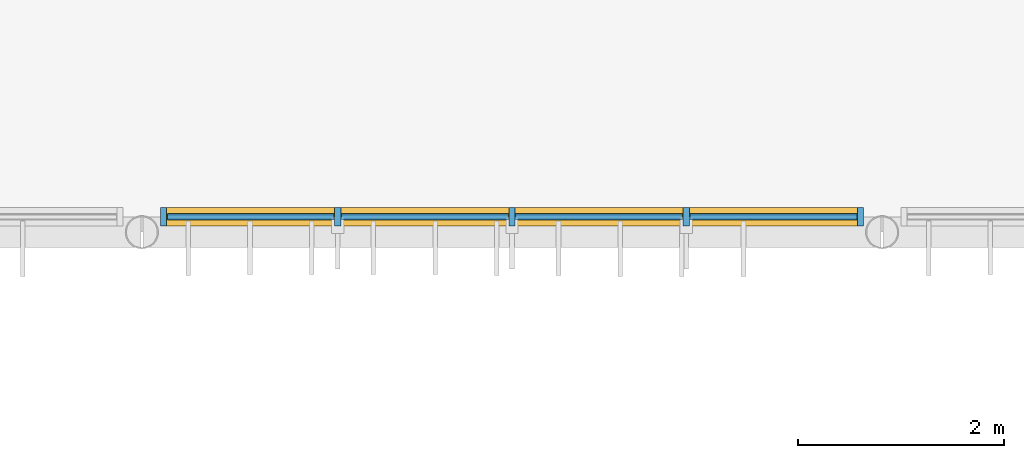
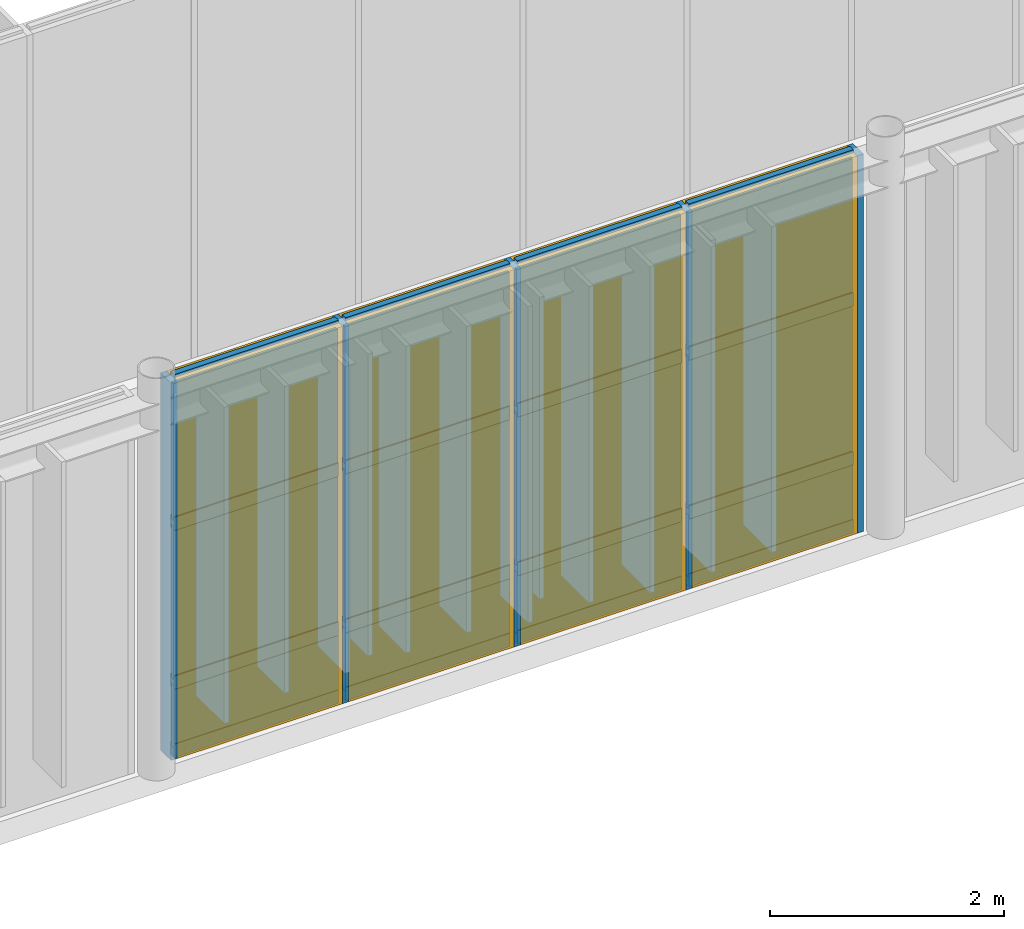
# One storey, part 74 of 122: 21 members, 12 plates, 1 curtain wall.
"""IFC4 building model written with IfcOpenShell, lengths in metres."""

from ifc_helpers import new_model, si_unit, direction, frame, frame_2d, origin, origin_2d, place, context, subcontext, project, spatial, rectangle, extrude, material, layer, layer_set, material_profile, profile_set, type_object, element, aggregate, save


model = new_model("IFC4")

# Units and contexts
model_context = context("Model", 3, precision=1e-05, world=origin(), true_north=direction((0.0, 1.0)))
body_context = subcontext(model_context, "Body", "Model", "MODEL_VIEW")
ifc_project = project(units=[si_unit("LENGTHUNIT", "METRE"), si_unit("AREAUNIT", "SQUARE_METRE"), si_unit("VOLUMEUNIT", "CUBIC_METRE"), si_unit("PLANEANGLEUNIT", "RADIAN"), si_unit("MASSUNIT", "GRAM", prefix="KILO")], contexts=[model_context])

# Member
ifc_material_1 = material(Name="Anodised Bronze Aluminium 6063-T6", Category="aluminium")
ifc_material_profile_1 = material_profile(ifc_material_1, rectangle(XDim=0.06005859375, YDim=0.179931640625, at=origin_2d()), Name="ALU MULLION 60x180")
ifc_profile_set_1 = profile_set([ifc_material_profile_1], Name="Anodised Bronze Aluminium 6063-T6")
member_type_1 = type_object("IfcMemberType", Name="Curtain-Wall Primary Mullion 60x180", PredefinedType="MULLION", material=ifc_profile_set_1)
site_placement = place(None, origin())
building_placement = place(site_placement, origin())
storey_placement = place(building_placement, frame((0.0, 0.0, 4.800048828125)))
member_1_placement = place(storey_placement, frame((36.2119140625, 44.75, 0.0), z_axis=(0.0, 0.0, 1.0), x_axis=(1.0, 0.0, 0.0)))
member_1 = element("IfcMember", 1, at=member_1_placement, type_object=member_type_1, Name="Mullion CWM-01 CW-WLNK-S-L01-B2-M01", PredefinedType="MULLION", context=body_context, shape_type="SweptSolid", body=[
    extrude(rectangle(XDim=0.06005859375, YDim=0.179931640625, at=origin_2d()), origin(), (0.0, 0.0, 1.0), 3.93994140625),
])

member_2_placement = place(storey_placement, frame((37.906005859375, 44.75, 0.0), z_axis=(0.0, 0.0, 1.0), x_axis=(1.0, 0.0, 0.0)))
member_2 = element("IfcMember", 2, at=member_2_placement, type_object=member_type_1, Name="Mullion CWM-01 CW-WLNK-S-L01-B2-M02", PredefinedType="MULLION", context=body_context, shape_type="SweptSolid", body=[
    extrude(rectangle(XDim=0.06005859375, YDim=0.179931640625, at=origin_2d()), origin(), (0.0, 0.0, 1.0), 3.93994140625),
])

member_3_placement = place(storey_placement, frame((39.60009765625, 44.75, 0.0), z_axis=(0.0, 0.0, 1.0), x_axis=(1.0, 0.0, 0.0)))
member_3 = element("IfcMember", 3, at=member_3_placement, type_object=member_type_1, Name="Mullion CWM-01 CW-WLNK-S-L01-B2-M03", PredefinedType="MULLION", context=body_context, shape_type="SweptSolid", body=[
    extrude(rectangle(XDim=0.06005859375, YDim=0.179931640625, at=origin_2d()), origin(), (0.0, 0.0, 1.0), 3.93994140625),
])

member_4_placement = place(storey_placement, frame((41.294189453125, 44.75, 0.0), z_axis=(0.0, 0.0, 1.0), x_axis=(1.0, 0.0, 0.0)))
member_4 = element("IfcMember", 4, at=member_4_placement, type_object=member_type_1, Name="Mullion CWM-01 CW-WLNK-S-L01-B2-M04", PredefinedType="MULLION", context=body_context, shape_type="SweptSolid", body=[
    extrude(rectangle(XDim=0.06005859375, YDim=0.179931640625, at=origin_2d()), origin(), (0.0, 0.0, 1.0), 3.93994140625),
])

member_5_placement = place(storey_placement, frame((42.988037109375, 44.75, 0.0), z_axis=(0.0, 0.0, 1.0), x_axis=(1.0, 0.0, 0.0)))
member_5 = element("IfcMember", 5, at=member_5_placement, type_object=member_type_1, Name="Mullion CWM-01 CW-WLNK-S-L01-B2-M05", PredefinedType="MULLION", context=body_context, shape_type="SweptSolid", body=[
    extrude(rectangle(XDim=0.06005859375, YDim=0.179931640625, at=origin_2d()), origin(), (0.0, 0.0, 1.0), 3.93994140625),
])

ifc_material_profile_2 = material_profile(ifc_material_1, rectangle(XDim=0.06005859375, YDim=0.139892578125, at=origin_2d()), Name="ALU TRANSOM 60x140")
ifc_profile_set_2 = profile_set([ifc_material_profile_2], Name="Anodised Bronze Aluminium 6063-T6")
member_type_2 = type_object("IfcMemberType", Name="Curtain-Wall Transom 60x140", PredefinedType="USERDEFINED", material=ifc_profile_set_2)
member_6_placement = place(storey_placement, frame((36.2470703125, 44.75, 0.0400390625), z_axis=(1.0, 0.0, 0.0), x_axis=(0.0, 1.0, 0.0)))
member_6 = element("IfcMember", 6, at=member_6_placement, type_object=member_type_2, Name="Transom CWT-01 CW-WLNK-S-L01-B2-T01.1", ObjectType="TRANSOM", PredefinedType="USERDEFINED", context=body_context, shape_type="SweptSolid", body=[
    extrude(rectangle(XDim=0.06005859375, YDim=0.139892578125, at=origin_2d()), origin(), (0.0, 0.0, 1.0), 1.6240234375),
])

member_7_placement = place(storey_placement, frame((36.2470703125, 44.75, 0.75), z_axis=(1.0, 0.0, 0.0), x_axis=(0.0, 1.0, 0.0)))
member_7 = element("IfcMember", 7, at=member_7_placement, type_object=member_type_2, Name="Transom CWT-01 CW-WLNK-S-L01-B2-T01.2", ObjectType="TRANSOM", PredefinedType="USERDEFINED", context=body_context, shape_type="SweptSolid", body=[
    extrude(rectangle(XDim=0.06005859375, YDim=0.139892578125, at=origin_2d()), origin(), (0.0, 0.0, 1.0), 1.6240234375),
])

member_8_placement = place(storey_placement, frame((36.2470703125, 44.75, 2.40869140625), z_axis=(1.0, 0.0, 0.0), x_axis=(0.0, 1.0, 0.0)))
member_8 = element("IfcMember", 8, at=member_8_placement, type_object=member_type_2, Name="Transom CWT-01 CW-WLNK-S-L01-B2-T01.3", ObjectType="TRANSOM", PredefinedType="USERDEFINED", context=body_context, shape_type="SweptSolid", body=[
    extrude(rectangle(XDim=0.06005859375, YDim=0.139892578125, at=origin_2d()), origin(), (0.0, 0.0, 1.0), 1.6240234375),
])

member_9_placement = place(storey_placement, frame((36.2470703125, 44.75, 3.89990234375), z_axis=(1.0, 0.0, 0.0), x_axis=(0.0, 1.0, 0.0)))
member_9 = element("IfcMember", 9, at=member_9_placement, type_object=member_type_2, Name="Transom CWT-01 CW-WLNK-S-L01-B2-T01.4", ObjectType="TRANSOM", PredefinedType="USERDEFINED", context=body_context, shape_type="SweptSolid", body=[
    extrude(rectangle(XDim=0.06005859375, YDim=0.139892578125, at=origin_2d()), origin(), (0.0, 0.0, 1.0), 1.6240234375),
])

member_10_placement = place(storey_placement, frame((37.94091796875, 44.75, 0.0400390625), z_axis=(1.0, 0.0, 0.0), x_axis=(0.0, 1.0, 0.0)))
member_10 = element("IfcMember", 10, at=member_10_placement, type_object=member_type_2, Name="Transom CWT-01 CW-WLNK-S-L01-B2-T02.1", ObjectType="TRANSOM", PredefinedType="USERDEFINED", context=body_context, shape_type="SweptSolid", body=[
    extrude(rectangle(XDim=0.06005859375, YDim=0.139892578125, at=origin_2d()), origin(), (0.0, 0.0, 1.0), 1.6240234375),
])

member_11_placement = place(storey_placement, frame((37.94091796875, 44.75, 0.75), z_axis=(1.0, 0.0, 0.0), x_axis=(0.0, 1.0, 0.0)))
member_11 = element("IfcMember", 11, at=member_11_placement, type_object=member_type_2, Name="Transom CWT-01 CW-WLNK-S-L01-B2-T02.2", ObjectType="TRANSOM", PredefinedType="USERDEFINED", context=body_context, shape_type="SweptSolid", body=[
    extrude(rectangle(XDim=0.06005859375, YDim=0.139892578125, at=origin_2d()), origin(), (0.0, 0.0, 1.0), 1.6240234375),
])

member_12_placement = place(storey_placement, frame((37.94091796875, 44.75, 2.40869140625), z_axis=(1.0, 0.0, 0.0), x_axis=(0.0, 1.0, 0.0)))
member_12 = element("IfcMember", 12, at=member_12_placement, type_object=member_type_2, Name="Transom CWT-01 CW-WLNK-S-L01-B2-T02.3", ObjectType="TRANSOM", PredefinedType="USERDEFINED", context=body_context, shape_type="SweptSolid", body=[
    extrude(rectangle(XDim=0.06005859375, YDim=0.139892578125, at=origin_2d()), origin(), (0.0, 0.0, 1.0), 1.6240234375),
])

member_13_placement = place(storey_placement, frame((37.94091796875, 44.75, 3.89990234375), z_axis=(1.0, 0.0, 0.0), x_axis=(0.0, 1.0, 0.0)))
member_13 = element("IfcMember", 13, at=member_13_placement, type_object=member_type_2, Name="Transom CWT-01 CW-WLNK-S-L01-B2-T02.4", ObjectType="TRANSOM", PredefinedType="USERDEFINED", context=body_context, shape_type="SweptSolid", body=[
    extrude(rectangle(XDim=0.06005859375, YDim=0.139892578125, at=origin_2d()), origin(), (0.0, 0.0, 1.0), 1.6240234375),
])

member_14_placement = place(storey_placement, frame((39.635009765625, 44.75, 0.0400390625), z_axis=(1.0, 0.0, 0.0), x_axis=(0.0, 1.0, 0.0)))
member_14 = element("IfcMember", 14, at=member_14_placement, type_object=member_type_2, Name="Transom CWT-01 CW-WLNK-S-L01-B2-T03.1", ObjectType="TRANSOM", PredefinedType="USERDEFINED", context=body_context, shape_type="SweptSolid", body=[
    extrude(rectangle(XDim=0.06005859375, YDim=0.139892578125, at=origin_2d()), origin(), (0.0, 0.0, 1.0), 1.6240234375),
])

member_15_placement = place(storey_placement, frame((39.635009765625, 44.75, 0.75), z_axis=(1.0, 0.0, 0.0), x_axis=(0.0, 1.0, 0.0)))
member_15 = element("IfcMember", 15, at=member_15_placement, type_object=member_type_2, Name="Transom CWT-01 CW-WLNK-S-L01-B2-T03.2", ObjectType="TRANSOM", PredefinedType="USERDEFINED", context=body_context, shape_type="SweptSolid", body=[
    extrude(rectangle(XDim=0.06005859375, YDim=0.139892578125, at=origin_2d()), origin(), (0.0, 0.0, 1.0), 1.6240234375),
])

member_16_placement = place(storey_placement, frame((39.635009765625, 44.75, 2.40869140625), z_axis=(1.0, 0.0, 0.0), x_axis=(0.0, 1.0, 0.0)))
member_16 = element("IfcMember", 16, at=member_16_placement, type_object=member_type_2, Name="Transom CWT-01 CW-WLNK-S-L01-B2-T03.3", ObjectType="TRANSOM", PredefinedType="USERDEFINED", context=body_context, shape_type="SweptSolid", body=[
    extrude(rectangle(XDim=0.06005859375, YDim=0.139892578125, at=origin_2d()), origin(), (0.0, 0.0, 1.0), 1.6240234375),
])

member_17_placement = place(storey_placement, frame((39.635009765625, 44.75, 3.89990234375), z_axis=(1.0, 0.0, 0.0), x_axis=(0.0, 1.0, 0.0)))
member_17 = element("IfcMember", 17, at=member_17_placement, type_object=member_type_2, Name="Transom CWT-01 CW-WLNK-S-L01-B2-T03.4", ObjectType="TRANSOM", PredefinedType="USERDEFINED", context=body_context, shape_type="SweptSolid", body=[
    extrude(rectangle(XDim=0.06005859375, YDim=0.139892578125, at=origin_2d()), origin(), (0.0, 0.0, 1.0), 1.6240234375),
])

member_18_placement = place(storey_placement, frame((41.3291015625, 44.75, 0.0400390625), z_axis=(1.0, 0.0, 0.0), x_axis=(0.0, 1.0, 0.0)))
member_18 = element("IfcMember", 18, at=member_18_placement, type_object=member_type_2, Name="Transom CWT-01 CW-WLNK-S-L01-B2-T04.1", ObjectType="TRANSOM", PredefinedType="USERDEFINED", context=body_context, shape_type="SweptSolid", body=[
    extrude(rectangle(XDim=0.06005859375, YDim=0.139892578125, at=origin_2d()), origin(), (0.0, 0.0, 1.0), 1.6240234375),
])

member_19_placement = place(storey_placement, frame((41.3291015625, 44.75, 0.75), z_axis=(1.0, 0.0, 0.0), x_axis=(0.0, 1.0, 0.0)))
member_19 = element("IfcMember", 19, at=member_19_placement, type_object=member_type_2, Name="Transom CWT-01 CW-WLNK-S-L01-B2-T04.2", ObjectType="TRANSOM", PredefinedType="USERDEFINED", context=body_context, shape_type="SweptSolid", body=[
    extrude(rectangle(XDim=0.06005859375, YDim=0.139892578125, at=origin_2d()), origin(), (0.0, 0.0, 1.0), 1.6240234375),
])

member_20_placement = place(storey_placement, frame((41.3291015625, 44.75, 2.40869140625), z_axis=(1.0, 0.0, 0.0), x_axis=(0.0, 1.0, 0.0)))
member_20 = element("IfcMember", 20, at=member_20_placement, type_object=member_type_2, Name="Transom CWT-01 CW-WLNK-S-L01-B2-T04.3", ObjectType="TRANSOM", PredefinedType="USERDEFINED", context=body_context, shape_type="SweptSolid", body=[
    extrude(rectangle(XDim=0.06005859375, YDim=0.139892578125, at=origin_2d()), origin(), (0.0, 0.0, 1.0), 1.6240234375),
])

member_21_placement = place(storey_placement, frame((41.3291015625, 44.75, 3.89990234375), z_axis=(1.0, 0.0, 0.0), x_axis=(0.0, 1.0, 0.0)))
member_21 = element("IfcMember", 21, at=member_21_placement, type_object=member_type_2, Name="Transom CWT-01 CW-WLNK-S-L01-B2-T04.4", ObjectType="TRANSOM", PredefinedType="USERDEFINED", context=body_context, shape_type="SweptSolid", body=[
    extrude(rectangle(XDim=0.06005859375, YDim=0.139892578125, at=origin_2d()), origin(), (0.0, 0.0, 1.0), 1.6240234375),
])

# Plate
ifc_material_2 = material(Name="Insulated Bronze Aluminium Spandrel Panel", Category="aluminium")
ifc_layer_1 = layer(ifc_material_2, 0.050048828125, Name="Insulated Bronze Aluminium Spandrel Panel")
ifc_layer_set_1 = layer_set([ifc_layer_1], Name="Insulated Bronze Aluminium Spandrel Panel")
plate_type_1 = type_object("IfcPlateType", Name="Insulated Anodised Aluminium Spandrel Cassette 50", PredefinedType="CURTAIN_PANEL", material=ifc_layer_set_1)
plate_1_placement = place(storey_placement, frame((37.05908203125, 44.75, 0.070068359375), z_axis=(0.0, 0.0, 1.0), x_axis=(1.0, 0.0, 0.0)))
plate_1 = element("IfcPlate", 22, at=plate_1_placement, type_object=plate_type_1, Name="Curtain Panel CWP-03 CW-WLNK-S-L01-B2-P01.1", PredefinedType="CURTAIN_PANEL", context=body_context, shape_type="SweptSolid", body=[
    extrude(rectangle(XDim=1.6240234375, YDim=0.050048828125, at=origin_2d()), origin(), (0.0, 0.0, 1.0), 0.64990234375),
])

plate_2_placement = place(storey_placement, frame((38.7529296875, 44.75, 0.070068359375), z_axis=(0.0, 0.0, 1.0), x_axis=(1.0, 0.0, 0.0)))
plate_2 = element("IfcPlate", 23, at=plate_2_placement, type_object=plate_type_1, Name="Curtain Panel CWP-03 CW-WLNK-S-L01-B2-P02.1", PredefinedType="CURTAIN_PANEL", context=body_context, shape_type="SweptSolid", body=[
    extrude(rectangle(XDim=1.6240234375, YDim=0.050048828125, at=origin_2d()), origin(), (0.0, 0.0, 1.0), 0.64990234375),
])

plate_3_placement = place(storey_placement, frame((40.447021484375, 44.75, 0.070068359375), z_axis=(0.0, 0.0, 1.0), x_axis=(1.0, 0.0, 0.0)))
plate_3 = element("IfcPlate", 24, at=plate_3_placement, type_object=plate_type_1, Name="Curtain Panel CWP-03 CW-WLNK-S-L01-B2-P03.1", PredefinedType="CURTAIN_PANEL", context=body_context, shape_type="SweptSolid", body=[
    extrude(rectangle(XDim=1.6240234375, YDim=0.050048828125, at=origin_2d()), origin(), (0.0, 0.0, 1.0), 0.64990234375),
])

plate_4_placement = place(storey_placement, frame((42.14111328125, 44.75, 0.070068359375), z_axis=(0.0, 0.0, 1.0), x_axis=(1.0, 0.0, 0.0)))
plate_4 = element("IfcPlate", 25, at=plate_4_placement, type_object=plate_type_1, Name="Curtain Panel CWP-03 CW-WLNK-S-L01-B2-P04.1", PredefinedType="CURTAIN_PANEL", context=body_context, shape_type="SweptSolid", body=[
    extrude(rectangle(XDim=1.6240234375, YDim=0.050048828125, at=origin_2d()), origin(), (0.0, 0.0, 1.0), 0.64990234375),
])

ifc_material_3 = material(Name="Solar-Control Tempered Double Glazing", Category="glass")
ifc_layer_2 = layer(ifc_material_3, 0.0380859375, Name="Solar-Control Tempered Double Glazing")
ifc_layer_set_2 = layer_set([ifc_layer_2], Name="Solar-Control Tempered Double Glazing")
plate_type_2 = type_object("IfcPlateType", Name="Solar-Control Vision Glazing Unit 38", PredefinedType="CURTAIN_PANEL", material=ifc_layer_set_2)
plate_5_placement = place(storey_placement, frame((37.05908203125, 44.75, 0.77978515625), z_axis=(0.0, 0.0, 1.0), x_axis=(1.0, 0.0, 0.0)))
plate_5 = element("IfcPlate", 26, at=plate_5_placement, type_object=plate_type_2, Name="Curtain Panel CWP-02 CW-WLNK-S-L01-B2-P01.2", PredefinedType="CURTAIN_PANEL", context=body_context, shape_type="SweptSolid", body=[
    extrude(rectangle(XDim=1.6240234375, YDim=0.0380859375, at=origin_2d()), origin(), (0.0, 0.0, 1.0), 1.598876953125),
])

plate_6_placement = place(storey_placement, frame((37.05908203125, 44.75, 2.438720703125), z_axis=(0.0, 0.0, 1.0), x_axis=(1.0, 0.0, 0.0)))
plate_6 = element("IfcPlate", 27, at=plate_6_placement, type_object=plate_type_2, Name="Curtain Panel CWP-02 CW-WLNK-S-L01-B2-P01.3", PredefinedType="CURTAIN_PANEL", context=body_context, shape_type="SweptSolid", body=[
    extrude(rectangle(XDim=1.6240234375, YDim=0.0380859375, at=origin_2d()), origin(), (0.0, 0.0, 1.0), 1.43115234375),
])

plate_7_placement = place(storey_placement, frame((38.7529296875, 44.75, 0.77978515625), z_axis=(0.0, 0.0, 1.0), x_axis=(1.0, 0.0, 0.0)))
plate_7 = element("IfcPlate", 28, at=plate_7_placement, type_object=plate_type_2, Name="Curtain Panel CWP-02 CW-WLNK-S-L01-B2-P02.2", PredefinedType="CURTAIN_PANEL", context=body_context, shape_type="SweptSolid", body=[
    extrude(rectangle(XDim=1.6240234375, YDim=0.0380859375, at=origin_2d()), origin(), (0.0, 0.0, 1.0), 1.598876953125),
])

plate_8_placement = place(storey_placement, frame((38.7529296875, 44.75, 2.438720703125), z_axis=(0.0, 0.0, 1.0), x_axis=(1.0, 0.0, 0.0)))
plate_8 = element("IfcPlate", 29, at=plate_8_placement, type_object=plate_type_2, Name="Curtain Panel CWP-02 CW-WLNK-S-L01-B2-P02.3", PredefinedType="CURTAIN_PANEL", context=body_context, shape_type="SweptSolid", body=[
    extrude(rectangle(XDim=1.6240234375, YDim=0.0380859375, at=origin_2d()), origin(), (0.0, 0.0, 1.0), 1.43115234375),
])

plate_9_placement = place(storey_placement, frame((40.447021484375, 44.75, 0.77978515625), z_axis=(0.0, 0.0, 1.0), x_axis=(1.0, 0.0, 0.0)))
plate_9 = element("IfcPlate", 30, at=plate_9_placement, type_object=plate_type_2, Name="Curtain Panel CWP-02 CW-WLNK-S-L01-B2-P03.2", PredefinedType="CURTAIN_PANEL", context=body_context, shape_type="SweptSolid", body=[
    extrude(rectangle(XDim=1.6240234375, YDim=0.0380859375, at=origin_2d()), origin(), (0.0, 0.0, 1.0), 1.598876953125),
])

plate_10_placement = place(storey_placement, frame((40.447021484375, 44.75, 2.438720703125), z_axis=(0.0, 0.0, 1.0), x_axis=(1.0, 0.0, 0.0)))
plate_10 = element("IfcPlate", 31, at=plate_10_placement, type_object=plate_type_2, Name="Curtain Panel CWP-02 CW-WLNK-S-L01-B2-P03.3", PredefinedType="CURTAIN_PANEL", context=body_context, shape_type="SweptSolid", body=[
    extrude(rectangle(XDim=1.6240234375, YDim=0.0380859375, at=origin_2d()), origin(), (0.0, 0.0, 1.0), 1.43115234375),
])

plate_11_placement = place(storey_placement, frame((42.14111328125, 44.75, 0.77978515625), z_axis=(0.0, 0.0, 1.0), x_axis=(1.0, 0.0, 0.0)))
plate_11 = element("IfcPlate", 32, at=plate_11_placement, type_object=plate_type_2, Name="Curtain Panel CWP-02 CW-WLNK-S-L01-B2-P04.2", PredefinedType="CURTAIN_PANEL", context=body_context, shape_type="SweptSolid", body=[
    extrude(rectangle(XDim=1.6240234375, YDim=0.0380859375, at=origin_2d()), origin(), (0.0, 0.0, 1.0), 1.598876953125),
])

plate_12_placement = place(storey_placement, frame((42.14111328125, 44.75, 2.438720703125), z_axis=(0.0, 0.0, 1.0), x_axis=(1.0, 0.0, 0.0)))
plate_12 = element("IfcPlate", 33, at=plate_12_placement, type_object=plate_type_2, Name="Curtain Panel CWP-02 CW-WLNK-S-L01-B2-P04.3", PredefinedType="CURTAIN_PANEL", context=body_context, shape_type="SweptSolid", body=[
    extrude(rectangle(XDim=1.6240234375, YDim=0.0380859375, at=origin_2d()), origin(), (0.0, 0.0, 1.0), 1.43115234375),
])

# Site, building, storey
site = spatial("IfcSite", under=ifc_project, at=site_placement, CompositionType="ELEMENT")
building = spatial("IfcBuilding", under=site, at=building_placement, Name="Tazoul Stagehouse", CompositionType="ELEMENT")
storey = spatial("IfcBuildingStorey", under=building, at=storey_placement, Name="L01", CompositionType="ELEMENT", Elevation=4.800048828125)

# Curtain wall
curtain_wall_type = type_object("IfcCurtainWallType", Name="Foyer Clear Solar-Control Curtain Wall", PredefinedType="NOTDEFINED", material=ifc_material_1)
curtain_wall_placement = place(storey_placement, frame((36.2119140625, 44.75, 0.0), z_axis=(0.0, 0.0, 1.0), x_axis=(1.0, 0.0, 0.0)))
curtain_wall = element("IfcCurtainWall", 34, at=curtain_wall_placement, inside=storey, type_object=curtain_wall_type, Name="L01 Curtain Wall CW-02 (CW-WLNK-S-L01-B2)", PredefinedType="NOTDEFINED", context=body_context, shape_type="SweptSolid", body=[
    extrude(rectangle(XDim=6.776123046875, YDim=0.179931640625, at=frame_2d((3.38818359375, 0.0))), origin(), (0.0, 0.0, 1.0), 3.93994140625),
])

aggregate(curtain_wall, [member_1, member_2, member_3, member_4, member_5, member_6, member_7, member_8, member_9, plate_1, plate_5, plate_6, member_10, member_11, member_12, member_13, plate_2, plate_7, plate_8, member_14, member_15, member_16, member_17, plate_3, plate_9, plate_10, member_18, member_19, member_20, member_21, plate_4, plate_11, plate_12])

save(model, "model.ifc")
